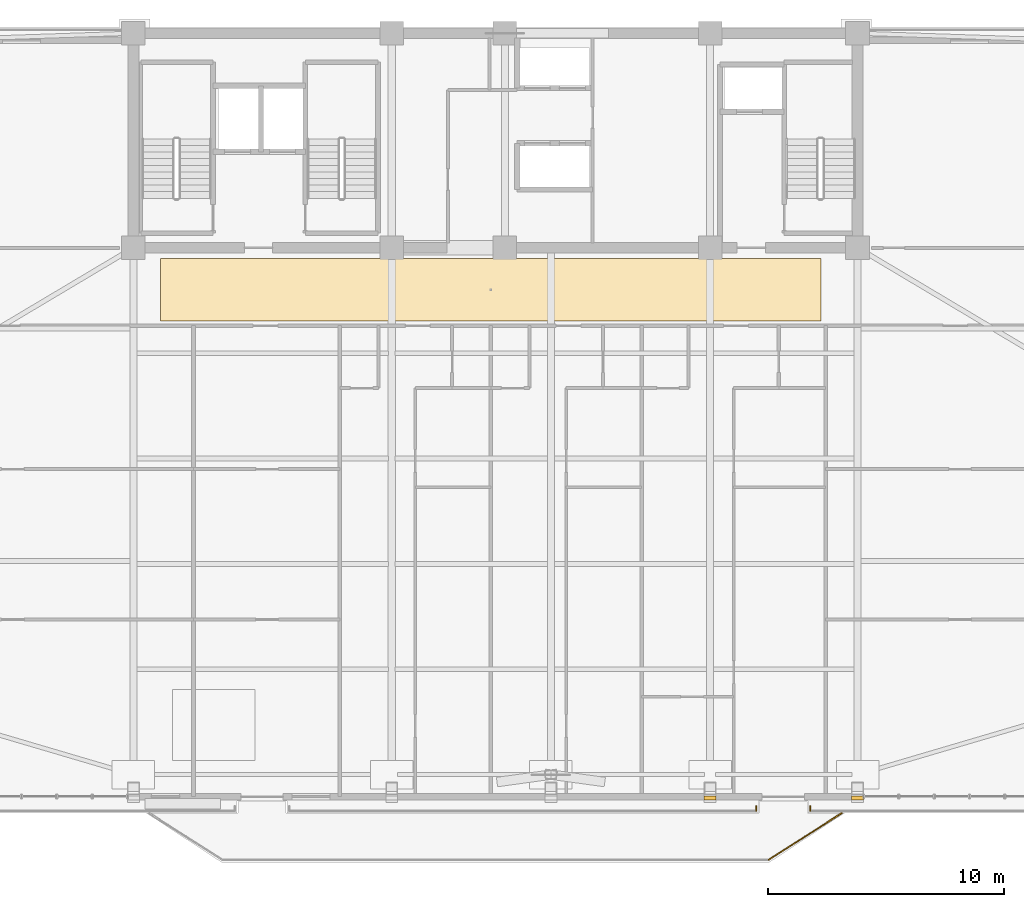
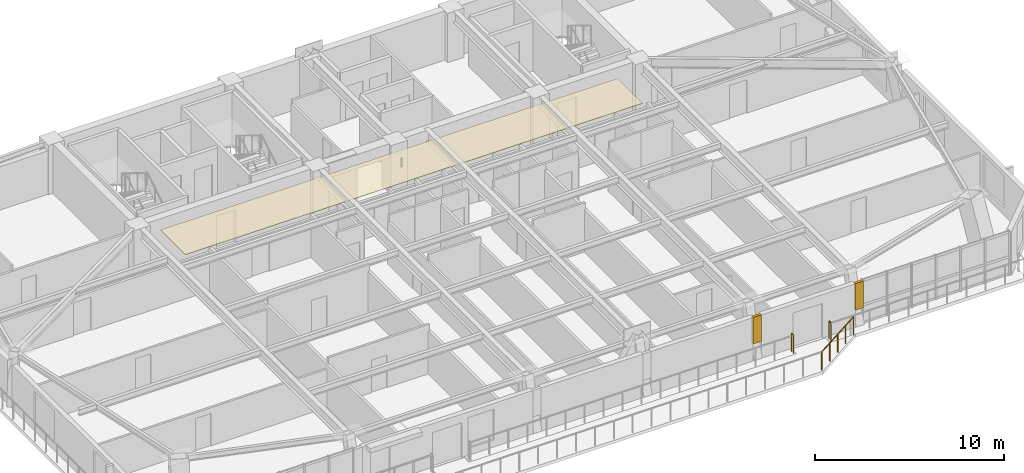
# One storey, part 16 of 18: 3 coverings, 3 railings.
"""IFC4 building model written with IfcOpenShell, lengths in metres."""

from ifc_helpers import new_model, si_unit, direction, frame, origin, origin_2d, place, context, subcontext, project, spatial, polyline, rectangle, outline, extrude, material, layer, layer_set, type_object, element, save


model = new_model("IFC4")

# Units and contexts
model_context = context("Model", 3, precision=1e-05, world=origin(), true_north=direction((0.0, 1.0)))
body_context = subcontext(model_context, "Body", "Model", "MODEL_VIEW")
ifc_project = project(units=[si_unit("LENGTHUNIT", "METRE"), si_unit("AREAUNIT", "SQUARE_METRE"), si_unit("VOLUMEUNIT", "CUBIC_METRE"), si_unit("PLANEANGLEUNIT", "RADIAN"), si_unit("MASSUNIT", "GRAM", prefix="KILO")], contexts=[model_context])

# Site, building, storey
site_placement = place(None, origin())
site = spatial("IfcSite", under=ifc_project, at=site_placement, CompositionType="ELEMENT")
building_placement = place(site_placement, origin())
building = spatial("IfcBuilding", under=site, at=building_placement, Name="Giltprow Tower", CompositionType="ELEMENT")
storey_placement = place(building_placement, frame((0.0, 0.0, 245.10009765625)))
storey = spatial("IfcBuildingStorey", under=building, at=storey_placement, Name="L62", CompositionType="ELEMENT", Elevation=245.10009765625)

# Coverings
ifc_material_1 = material(Name="Painted gypsum board", Category="gypsum")
ifc_layer_1 = layer(ifc_material_1, 0.030029296875, Name="Painted gypsum board")
ifc_layer_set_1 = layer_set([ifc_layer_1], Name="Painted gypsum board")
covering_type_1 = type_object("IfcCoveringType", Name="COV-CLG-GYPSUM", PredefinedType="CEILING", material=ifc_layer_set_1)
covering_1_placement = place(storey_placement, frame((0.0, 0.0, 2.619873046875)))
element("IfcCovering", 1, at=covering_1_placement, inside=storey, type_object=covering_type_1, Name="L62 Residence Gallery Ceiling", PredefinedType="CEILING", context=body_context, shape_type="SweptSolid", body=[
    extrude(outline(polyline([(21.0, 34.35009765625), (49.0, 34.35009765625), (49.0, 37.0), (21.0, 37.0), (21.0, 34.35009765625)])), origin(), (0.0, 0.0, 1.0), 0.030029296875),
])
ifc_material_2 = material(Name="Anodized bronze", Category="metal")
ifc_layer_2 = layer(ifc_material_2, 0.0400390625, Name="Anodized bronze")
ifc_layer_set_2 = layer_set([ifc_layer_2], Name="Anodized bronze")
covering_type_2 = type_object("IfcCoveringType", Name="COV-SOFFIT-BRONZE", PredefinedType="CLADDING", material=ifc_layer_set_2)
covering_2_placement = place(storey_placement, frame((0.0, 0.0, 1.099853515625)))
element("IfcCovering", 2, at=covering_2_placement, inside=storey, type_object=covering_type_2, Name="L62 Setback Pier Closure Cladding S-4", PredefinedType="CLADDING", context=body_context, shape_type="SweptSolid", body=[
    extrude(outline(polyline([(44.050048828125, 14.0419921875), (44.550048828125, 14.0419921875), (44.550048828125, 14.201904296875), (44.050048828125, 14.201904296875), (44.050048828125, 14.0419921875)])), origin(), (0.0, 0.0, 1.0), 1.715087890625),
])
covering_3_placement = place(storey_placement, frame((0.0, 0.0, 1.099853515625)))
element("IfcCovering", 3, at=covering_3_placement, inside=storey, type_object=covering_type_2, Name="L62 Setback Pier Closure Cladding S-5", PredefinedType="CLADDING", context=body_context, shape_type="SweptSolid", body=[
    extrude(outline(polyline([(50.300048828125, 14.0419921875), (50.800048828125, 14.0419921875), (50.800048828125, 14.201904296875), (50.300048828125, 14.201904296875), (50.300048828125, 14.0419921875)])), origin(), (0.0, 0.0, 1.0), 1.715087890625),
])

# Railings
railing_type = type_object("IfcRailingType", Name="RAIL-BALC-GUARD-1200", PredefinedType="BALUSTRADE", material=ifc_material_2)
railing_1_placement = place(storey_placement, frame((46.780029296875, 11.501953125, 0.0)))
element("IfcRailing", 4, at=railing_1_placement, inside=storey, type_object=railing_type, Name="L62 Waterfront Balcony Balustrade Seg 3", PredefinedType="BALUSTRADE", context=body_context, shape_type="SweptSolid", body=[
    extrude(rectangle(XDim=0.048095703125, YDim=0.048095703125, at=origin_2d()), frame((0.0, 0.0, 1.17578125), z_axis=(0.842755646126, 0.538296313309, 0.0), x_axis=(-0.538296313309, 0.842755646126, 0.0)), (0.0, 0.0, 1.0), 3.67822265625),
    extrude(rectangle(XDim=0.0419921875, YDim=0.0419921875, at=origin_2d()), origin(), (0.0, 0.0, 1.0), 1.15185546875),
    extrude(rectangle(XDim=0.0419921875, YDim=0.0419921875, at=origin_2d()), frame((0.77490234375, 0.4951171875, 0.0)), (0.0, 0.0, 1.0), 1.15185546875),
    extrude(rectangle(XDim=0.0419921875, YDim=0.0419921875, at=origin_2d()), frame((1.5498046875, 0.989990234375, 0.0)), (0.0, 0.0, 1.0), 1.15185546875),
    extrude(rectangle(XDim=0.0419921875, YDim=0.0419921875, at=origin_2d()), frame((2.324951171875, 1.48486328125, 0.0)), (0.0, 0.0, 1.0), 1.15185546875),
    extrude(rectangle(XDim=0.0419921875, YDim=0.0419921875, at=origin_2d()), frame((3.099853515625, 1.97998046875, 0.0)), (0.0, 0.0, 1.0), 1.15185546875),
])
railing_2_placement = place(storey_placement, frame((48.550048828125, 13.58203125, 0.0)))
element("IfcRailing", 5, at=railing_2_placement, inside=storey, type_object=railing_type, Name="L62 Corner Apron Edge Balustrade 7", PredefinedType="BALUSTRADE", context=body_context, shape_type="SweptSolid", body=[
    extrude(rectangle(XDim=0.048095703125, YDim=0.048095703125, at=origin_2d()), frame((0.0, 0.0, 1.17578125), z_axis=(0.0, 1.0, 0.0), x_axis=(-1.0, 0.0, 0.0)), (0.0, 0.0, 1.0), 0.199951171875),
    extrude(rectangle(XDim=0.0419921875, YDim=0.0419921875, at=origin_2d()), origin(), (0.0, 0.0, 1.0), 1.15185546875),
    extrude(rectangle(XDim=0.0419921875, YDim=0.0419921875, at=origin_2d()), frame((0.0, 0.199951171875, 0.0)), (0.0, 0.0, 1.0), 1.15185546875),
])
railing_3_placement = place(storey_placement, frame((46.25, 13.781982421875, 0.0)))
element("IfcRailing", 6, at=railing_3_placement, inside=storey, type_object=railing_type, Name="L62 Corner Apron Edge Balustrade 8", PredefinedType="BALUSTRADE", context=body_context, shape_type="SweptSolid", body=[
    extrude(rectangle(XDim=0.048095703125, YDim=0.048095703125, at=origin_2d()), frame((0.0, 0.0, 1.17578125), z_axis=(0.0, -1.0, 0.0), x_axis=(1.0, 0.0, 0.0)), (0.0, 0.0, 1.0), 0.199951171875),
    extrude(rectangle(XDim=0.0419921875, YDim=0.0419921875, at=origin_2d()), origin(), (0.0, 0.0, 1.0), 1.15185546875),
    extrude(rectangle(XDim=0.0419921875, YDim=0.0419921875, at=origin_2d()), frame((0.0, -0.199951171875, 0.0)), (0.0, 0.0, 1.0), 1.15185546875),
])

save(model, "model.ifc")
